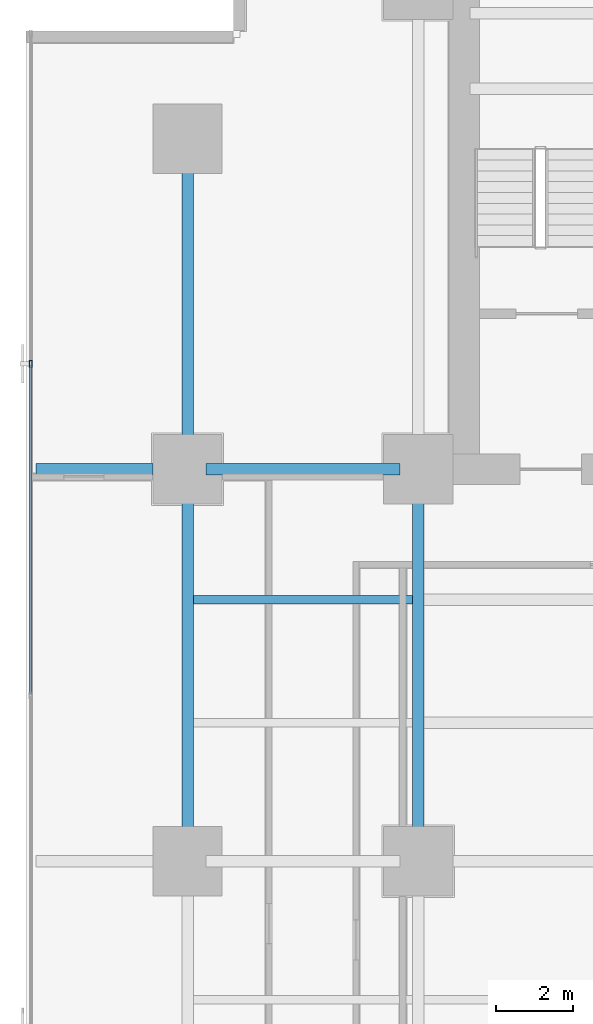
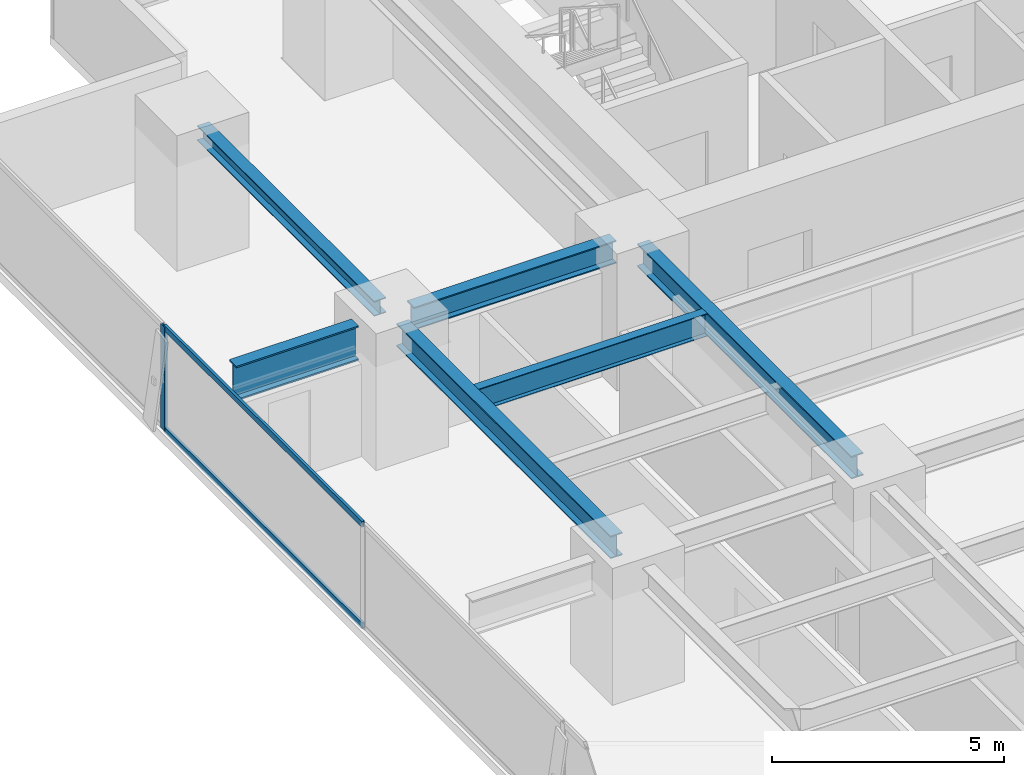
# One storey, part 16 of 33: 6 beams, 3 members, 1 element without a shape of its own.
"""IFC4 building model written with IfcOpenShell, lengths in metres."""

from ifc_helpers import new_model, si_unit, direction, frame, origin, origin_2d, place, context, subcontext, project, spatial, hollow_rectangle, i_section, extrude, source, transform, mapped, material, layer, layer_set, material_profile, profile_set, type_object, element, aggregate, save


model = new_model("IFC4")

# Units and contexts
model_context = context("Model", 3, precision=1e-05, world=origin(), true_north=direction((0.0, 1.0)))
body_context = subcontext(model_context, "Body", "Model", "MODEL_VIEW")
ifc_project = project(units=[si_unit("LENGTHUNIT", "METRE"), si_unit("AREAUNIT", "SQUARE_METRE"), si_unit("VOLUMEUNIT", "CUBIC_METRE"), si_unit("PLANEANGLEUNIT", "RADIAN"), si_unit("MASSUNIT", "GRAM", prefix="KILO")], contexts=[model_context])

# Site, building, storey
site_placement = place(None, origin())
site = spatial("IfcSite", under=ifc_project, at=site_placement, CompositionType="ELEMENT")
building_placement = place(site_placement, origin())
building = spatial("IfcBuilding", under=site, at=building_placement, Name="Sumidabori Civic Tower", CompositionType="ELEMENT")
storey_placement = place(building_placement, frame((0.0, 0.0, 59.60009765625)))
storey = spatial("IfcBuildingStorey", under=building, at=storey_placement, Name="L15", CompositionType="ELEMENT", Elevation=59.60009765625)

# Beams
ifc_material_1 = material(Name="Steel SN490", Category="steel")
ifc_material_profile_1 = material_profile(ifc_material_1, i_section(OverallWidth=0.300048828125, OverallDepth=0.60009765625, WebThickness=0.015380859375, FlangeThickness=0.030029296875, at=origin_2d()), Name="HE 600 B")
ifc_profile_set_1 = profile_set([ifc_material_profile_1], Name="Steel SN490")
beam_type_1 = type_object("IfcBeamType", Name="BM-GIRD-600", PredefinedType="BEAM", material=ifc_profile_set_1)
shared_shape_1 = source(origin(), body_context, "Body", "SweptSolid", [
    extrude(i_section(OverallWidth=0.300048828125, OverallDepth=0.60009765625, WebThickness=0.015380859375, FlangeThickness=0.030029296875, at=origin_2d()), origin(), (0.0, 0.0, 1.0), 5.0400390625),
])
beam_1_placement = place(storey_placement, frame((-22.320068359375, 10.199951171875, 3.059814453125), z_axis=(1.0, 0.0, 0.0), x_axis=(0.0, 1.0, 0.0)))
element("IfcBeam", 1, at=beam_1_placement, inside=storey, type_object=beam_type_1, Name="Primary Girder L15 GX-19", PredefinedType="BEAM", context=body_context, shape_type="MappedRepresentation", body=[
    mapped(shared_shape_1, transform((0.0, 0.0, 0.0), x_axis=(1.0, 0.0, 0.0), y_axis=(0.0, 1.0, 0.0), z_axis=(0.0, 0.0, 1.0), scale=1.0)),
])
shared_shape_2 = source(origin(), body_context, "Body", "SweptSolid", [
    extrude(i_section(OverallWidth=0.300048828125, OverallDepth=0.60009765625, WebThickness=0.015380859375, FlangeThickness=0.030029296875, at=origin_2d()), origin(), (0.0, 0.0, 1.0), 9.239990234375),
])
for number, where, z_axis, x_axis, name in (
    (2, (-22.800048828125, 0.47998046875, 3.059814453125), (0.0, 1.0, 0.0), (-1.0, 0.0, 0.0), "Primary Girder L15 GY-23"),
    (3, (-16.800048828125, 0.47998046875, 3.059814453125), (0.0, 1.0, 0.0), (-1.0, 0.0, 0.0), "Primary Girder L15 GY-27"),
):
    element("IfcBeam", number, at=place(storey_placement, frame(where, z_axis=z_axis, x_axis=x_axis)), inside=storey, type_object=beam_type_1, Name=name, PredefinedType="BEAM", context=body_context, shape_type="MappedRepresentation", body=[
        mapped(shared_shape_2, transform((0.0, 0.0, 0.0), x_axis=(1.0, 0.0, 0.0), y_axis=(0.0, 1.0, 0.0), z_axis=(0.0, 0.0, 1.0), scale=1.0)),
    ])
ifc_material_profile_2 = material_profile(ifc_material_1, i_section(OverallWidth=0.300048828125, OverallDepth=0.39990234375, WebThickness=0.013427734375, FlangeThickness=0.02392578125, at=origin_2d()), Name="HE 400 B")
ifc_profile_set_2 = profile_set([ifc_material_profile_2], Name="Steel SN490")
beam_type_2 = type_object("IfcBeamType", Name="BM-GIRD-400", PredefinedType="BEAM", material=ifc_profile_set_2)
shared_shape_3 = source(origin(), body_context, "Body", "SweptSolid", [
    extrude(i_section(OverallWidth=0.300048828125, OverallDepth=0.39990234375, WebThickness=0.013427734375, FlangeThickness=0.02392578125, at=origin_2d()), origin(), (0.0, 0.0, 1.0), 7.64013671875),
])
beam_2_placement = place(storey_placement, frame((-22.800048828125, 10.679931640625, 3.159912109375), z_axis=(0.0, 1.0, 0.0), x_axis=(-1.0, 0.0, 0.0)))
element("IfcBeam", 4, at=beam_2_placement, inside=storey, type_object=beam_type_2, Name="Primary Girder L15 GY-24", PredefinedType="BEAM", context=body_context, shape_type="MappedRepresentation", body=[
    mapped(shared_shape_3, transform((0.0, 0.0, 0.0), x_axis=(1.0, 0.0, 0.0), y_axis=(0.0, 1.0, 0.0), z_axis=(0.0, 0.0, 1.0), scale=1.0)),
])
ifc_material_profile_3 = material_profile(ifc_material_1, i_section(OverallWidth=0.302001953125, OverallDepth=0.909912109375, WebThickness=0.02099609375, FlangeThickness=0.0400390625, at=origin_2d()), Name="HE 900 M")
ifc_profile_set_3 = profile_set([ifc_material_profile_3], Name="Steel SN490")
beam_type_3 = type_object("IfcBeamType", Name="BM-Z1-EDGE", PredefinedType="SPANDREL", material=ifc_profile_set_3)
shared_shape_4 = source(origin(), body_context, "Body", "SweptSolid", [
    extrude(i_section(OverallWidth=0.302001953125, OverallDepth=0.909912109375, WebThickness=0.02099609375, FlangeThickness=0.0400390625, at=origin_2d()), origin(), (0.0, 0.0, 1.0), 3.050048828125),
])
beam_3_placement = place(storey_placement, frame((-26.75, 10.199951171875, 2.90478515625), z_axis=(1.0, 0.0, 0.0), x_axis=(0.0, 1.0, 0.0)))
element("IfcBeam", 5, at=beam_3_placement, inside=storey, type_object=beam_type_3, Name="Perimeter Overhang Beam L15 W-48", PredefinedType="SPANDREL", context=body_context, shape_type="MappedRepresentation", body=[
    mapped(shared_shape_4, transform((0.0, 0.0, 0.0), x_axis=(1.0, 0.0, 0.0), y_axis=(0.0, 1.0, 0.0), z_axis=(0.0, 0.0, 1.0), scale=1.0)),
])
ifc_material_profile_4 = material_profile(ifc_material_1, i_section(OverallWidth=0.219970703125, OverallDepth=0.60009765625, WebThickness=0.011962890625, FlangeThickness=0.01904296875, at=origin_2d()), Name="IPE 600")
ifc_profile_set_4 = profile_set([ifc_material_profile_4], Name="Steel SN490")
beam_type_4 = type_object("IfcBeamType", Name="BM-JST-600", PredefinedType="JOIST", material=ifc_profile_set_4)
shared_shape_5 = source(origin(), body_context, "Body", "SweptSolid", [
    extrude(i_section(OverallWidth=0.219970703125, OverallDepth=0.60009765625, WebThickness=0.011962890625, FlangeThickness=0.01904296875, at=origin_2d()), origin(), (0.0, 0.0, 1.0), 5.699951171875),
])
beam_4_placement = place(storey_placement, frame((-22.64990234375, 6.800048828125, 3.059814453125), z_axis=(1.0, 0.0, 0.0), x_axis=(0.0, 1.0, 0.0)))
element("IfcBeam", 6, at=beam_4_placement, inside=storey, type_object=beam_type_4, Name="Outer Bay Floor Joist L15 JSTO-55", PredefinedType="JOIST", context=body_context, shape_type="MappedRepresentation", body=[
    mapped(shared_shape_5, transform((0.0, 0.0, 0.0), x_axis=(1.0, 0.0, 0.0), y_axis=(0.0, 1.0, 0.0), z_axis=(0.0, 0.0, 1.0), scale=1.0)),
])

# Curtain wall, members
ifc_material_2 = material(Name="Anodised Bronze Aluminium AW-6063-T6", Category="aluminium")
ifc_layer = layer(ifc_material_2, 0.179931640625, Name="Anodised Bronze Aluminium AW-6063-T6")
ifc_layer_set = layer_set([ifc_layer], Name="Anodised Bronze Aluminium AW-6063-T6")
curtain_wall_type = type_object("IfcCurtainWallType", Name="CW-SYS-2", PredefinedType="NOTDEFINED", material=ifc_layer_set)
curtain_wall_placement = place(storey_placement, origin())
curtain_wall = element("IfcCurtainWall", 7, at=curtain_wall_placement, inside=storey, type_object=curtain_wall_type, Name="Curtain Wall CW:L15:R10", PredefinedType="NOTDEFINED")
ifc_material_profile_5 = material_profile(ifc_material_2, hollow_rectangle(XDim=0.070068359375, YDim=0.179931640625, WallThickness=0.006103515625, at=origin_2d()), Name="ALU MULLION 180x70")
ifc_profile_set_5 = profile_set([ifc_material_profile_5], Name="Anodised Bronze Aluminium AW-6063-T6")
member_type_1 = type_object("IfcMemberType", Name="CW-MUL-180", PredefinedType="MULLION", material=ifc_profile_set_5)
shared_shape_6 = source(origin(), body_context, "Body", "SweptSolid", [
    extrude(hollow_rectangle(XDim=0.070068359375, YDim=0.179931640625, WallThickness=0.006103515625, at=origin_2d()), origin(), (0.0, 0.0, 1.0), 2.739990234375),
])
member_1_placement = place(storey_placement, frame((-26.8798828125, 12.94189453125, 0.0), z_axis=(0.0, 0.0, 1.0), x_axis=(1.0, 0.0, 0.0)))
member_1 = element("IfcMember", 8, at=member_1_placement, type_object=member_type_1, Name="CW-2 mullion 2", PredefinedType="MULLION", context=body_context, shape_type="MappedRepresentation", body=[
    mapped(shared_shape_6, transform((0.0, 0.0, 0.0), x_axis=(1.0, 0.0, 0.0), y_axis=(0.0, 1.0, 0.0), z_axis=(0.0, 0.0, 1.0), scale=1.0)),
])
ifc_material_profile_6 = material_profile(ifc_material_2, hollow_rectangle(XDim=0.06494140625, YDim=0.14990234375, WallThickness=0.0048828125, at=origin_2d()), Name="ALU TRANSOM 150x65")
ifc_profile_set_6 = profile_set([ifc_material_profile_6], Name="Anodised Bronze Aluminium AW-6063-T6")
member_type_2 = type_object("IfcMemberType", Name="CW-TRN-150", PredefinedType="USERDEFINED", material=ifc_profile_set_6)
shared_shape_7 = source(origin(), body_context, "Body", "SweptSolid", [
    extrude(hollow_rectangle(XDim=0.06494140625, YDim=0.14990234375, WallThickness=0.0048828125, at=origin_2d()), origin(), (0.0, 0.0, 1.0), 8.557861328125),
])
member_2_placement = place(storey_placement, frame((-26.8798828125, 12.906982421875, 0.032470703125), z_axis=(0.0, -1.0, 0.0), x_axis=(1.0, 0.0, 0.0)))
member_2 = element("IfcMember", 9, at=member_2_placement, type_object=member_type_2, Name="CW-2 transom 2.1", ObjectType="TRANSOM", PredefinedType="USERDEFINED", context=body_context, shape_type="MappedRepresentation", body=[
    mapped(shared_shape_7, transform((0.0, 0.0, 0.0), x_axis=(1.0, 0.0, 0.0), y_axis=(0.0, 1.0, 0.0), z_axis=(0.0, 0.0, 1.0), scale=1.0)),
])
member_3_placement = place(storey_placement, frame((-26.8798828125, 12.906982421875, 2.70751953125), z_axis=(0.0, -1.0, 0.0), x_axis=(1.0, 0.0, 0.0)))
member_3 = element("IfcMember", 10, at=member_3_placement, type_object=member_type_2, Name="CW-2 transom 2.2", ObjectType="TRANSOM", PredefinedType="USERDEFINED", context=body_context, shape_type="MappedRepresentation", body=[
    mapped(shared_shape_7, transform((0.0, 0.0, 0.0), x_axis=(1.0, 0.0, 0.0), y_axis=(0.0, 1.0, 0.0), z_axis=(0.0, 0.0, 1.0), scale=1.0)),
])
aggregate(curtain_wall, [member_1, member_2, member_3])

save(model, "model.ifc")
